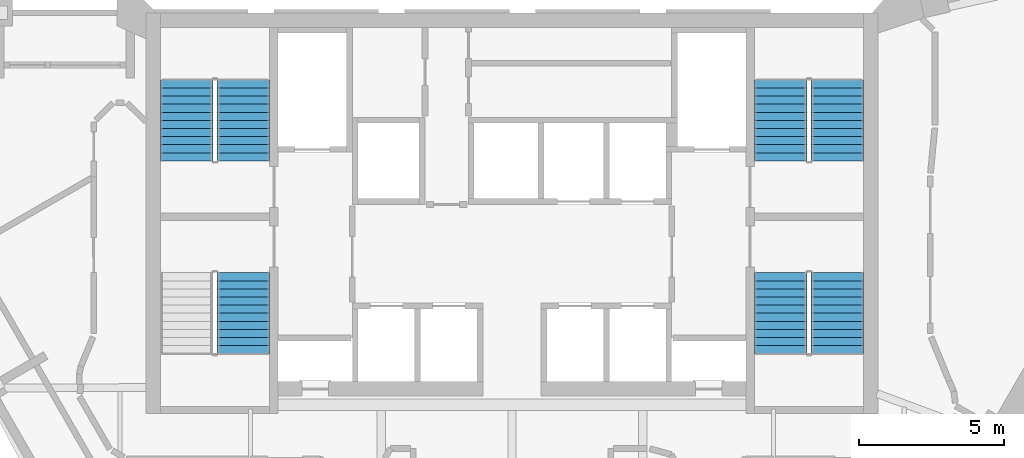
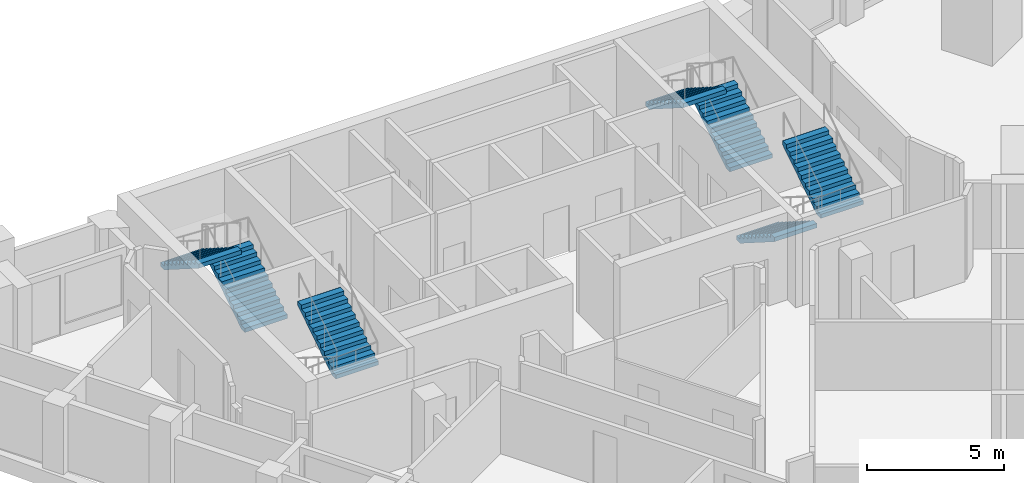
# One storey, part 8 of 9: 7 stair flights, 4 elements without a shape of their own.
"""IFC4 building model written with IfcOpenShell, lengths in metres."""

from ifc_helpers import new_model, si_unit, direction, frame, origin, place, context, subcontext, project, spatial, faceted_brep, source, transform, mapped, material, type_object, element, aggregate, save


model = new_model("IFC4")

# Units and contexts
model_context = context("Model", 3, precision=1e-05, world=origin(), true_north=direction((0.0, 1.0)))
body_context = subcontext(model_context, "Body", "Model", "MODEL_VIEW")
ifc_project = project(units=[si_unit("LENGTHUNIT", "METRE"), si_unit("AREAUNIT", "SQUARE_METRE"), si_unit("VOLUMEUNIT", "CUBIC_METRE"), si_unit("PLANEANGLEUNIT", "RADIAN"), si_unit("MASSUNIT", "GRAM", prefix="KILO")], contexts=[model_context])

# Site, building, storey
site_placement = place(None, origin())
site = spatial("IfcSite", under=ifc_project, at=site_placement, CompositionType="ELEMENT")
building_placement = place(site_placement, origin())
building = spatial("IfcBuilding", under=site, at=building_placement, Name="Calabash Gate Tower", CompositionType="ELEMENT")
storey_placement = place(building_placement, frame((0.0, 0.0, 283.300048828125)))
storey = spatial("IfcBuildingStorey", under=building, at=storey_placement, Name="L68", CompositionType="ELEMENT", Elevation=283.300048828125)

# Stair, stair flights
ifc_material_1 = material(Name="Concrete C40/50", Category="concrete")
stair_type = type_object("IfcStairType", Name="Exit stair 22 risers of 177.3 mm", PredefinedType="HALF_TURN_STAIR", material=ifc_material_1)
stair_1_placement = place(storey_placement, origin())
stair_1 = element("IfcStair", 1, at=stair_1_placement, inside=storey, type_object=stair_type, Name="L68 Exit stair ST1", PredefinedType="HALF_TURN_STAIR")
ifc_material_2 = material(Name="Concrete C40/50", Category="concrete")
stair_flight_type = type_object("IfcStairFlightType", Name="Exit stair flight SFL", PredefinedType="STRAIGHT", material=ifc_material_2)
shared_shape = source(origin(), body_context, "Body", "Brep", [
    faceted_brep([(-0.0009765625, -0.89990234375, 0.0), (0.279541015625, -0.89990234375, 0.0), (2.791015625, -0.89990234375, 1.59521484375), (-0.0009765625, 0.89990234375, 0.0), (2.791015625, 0.89990234375, 1.59521484375), (0.279541015625, 0.89990234375, 0.0), (2.791015625, -0.89990234375, 1.78466796875), (2.7900390625, -0.89990234375, 1.78466796875), (2.7900390625, 0.89990234375, 1.78466796875), (2.791015625, 0.89990234375, 1.78466796875), (2.7900390625, -0.89990234375, 1.772705078125), (2.7900390625, 0.89990234375, 1.772705078125), (2.510986328125, -0.89990234375, 1.772705078125), (2.510986328125, 0.89990234375, 1.772705078125), (2.510986328125, -0.89990234375, 1.595458984375), (2.510986328125, 0.89990234375, 1.595458984375), (2.23193359375, -0.89990234375, 1.595458984375), (2.23193359375, 0.89990234375, 1.595458984375), (2.23193359375, -0.89990234375, 1.418212890625), (2.23193359375, 0.89990234375, 1.418212890625), (1.952880859375, -0.89990234375, 1.418212890625), (1.952880859375, -0.89990234375, 1.240966796875), (1.952880859375, 0.89990234375, 1.240966796875), (1.952880859375, 0.89990234375, 1.418212890625), (1.674072265625, -0.89990234375, 1.240966796875), (1.674072265625, -0.89990234375, 1.063720703125), (1.674072265625, 0.89990234375, 1.063720703125), (1.674072265625, 0.89990234375, 1.240966796875), (1.39501953125, -0.89990234375, 1.063720703125), (1.39501953125, -0.89990234375, 0.886474609375), (1.39501953125, 0.89990234375, 0.886474609375), (1.39501953125, 0.89990234375, 1.063720703125), (1.115966796875, -0.89990234375, 0.886474609375), (1.115966796875, -0.89990234375, 0.708984375), (1.115966796875, 0.89990234375, 0.708984375), (1.115966796875, 0.89990234375, 0.886474609375), (0.8369140625, -0.89990234375, 0.708984375), (0.8369140625, -0.89990234375, 0.53173828125), (0.8369140625, 0.89990234375, 0.53173828125), (0.8369140625, 0.89990234375, 0.708984375), (0.55810546875, -0.89990234375, 0.53173828125), (0.55810546875, -0.89990234375, 0.3544921875), (0.55810546875, 0.89990234375, 0.3544921875), (0.55810546875, 0.89990234375, 0.53173828125), (0.279052734375, -0.89990234375, 0.3544921875), (0.279052734375, -0.89990234375, 0.17724609375), (0.279052734375, 0.89990234375, 0.17724609375), (0.279052734375, 0.89990234375, 0.3544921875), (-0.0009765625, -0.89990234375, 0.17724609375), (-0.0009765625, 0.89990234375, 0.17724609375), (0.279541015625, -0.360107421875, 0.0), (2.791015625, -0.360107421875, 1.59521484375), (0.279541015625, 0.0, 0.0), (2.791015625, 0.0, 1.59521484375), (0.279541015625, 0.360107421875, 0.0), (2.791015625, 0.360107421875, 1.59521484375), (2.791015625, -0.360107421875, 1.78466796875), (2.791015625, 0.0, 1.78466796875), (2.791015625, 0.360107421875, 1.78466796875), (2.7900390625, -0.360107421875, 1.78466796875), (2.7900390625, 0.0, 1.78466796875), (2.7900390625, 0.360107421875, 1.78466796875), (2.7900390625, -0.360107421875, 1.772705078125), (2.7900390625, 0.0, 1.772705078125), (2.7900390625, 0.360107421875, 1.772705078125), (2.510986328125, -0.360107421875, 1.772705078125), (2.510986328125, 0.0, 1.772705078125), (2.510986328125, 0.360107421875, 1.772705078125), (2.510986328125, -0.360107421875, 1.595458984375), (2.510986328125, 0.0, 1.595458984375), (2.510986328125, 0.360107421875, 1.595458984375), (2.23193359375, -0.360107421875, 1.595458984375), (2.23193359375, 0.0, 1.595458984375), (2.23193359375, 0.360107421875, 1.595458984375), (2.23193359375, -0.360107421875, 1.418212890625), (2.23193359375, 0.0, 1.418212890625), (2.23193359375, 0.360107421875, 1.418212890625), (1.952880859375, -0.360107421875, 1.418212890625), (1.952880859375, 0.0, 1.418212890625), (1.952880859375, 0.360107421875, 1.418212890625), (1.952880859375, -0.360107421875, 1.240966796875), (1.952880859375, 0.0, 1.240966796875), (1.952880859375, 0.360107421875, 1.240966796875), (1.674072265625, -0.360107421875, 1.240966796875), (1.674072265625, 0.0, 1.240966796875), (1.674072265625, 0.360107421875, 1.240966796875), (1.674072265625, -0.360107421875, 1.063720703125), (1.674072265625, 0.0, 1.063720703125), (1.674072265625, 0.360107421875, 1.063720703125), (1.39501953125, -0.360107421875, 1.063720703125), (1.39501953125, 0.0, 1.063720703125), (1.39501953125, 0.360107421875, 1.063720703125), (1.39501953125, -0.360107421875, 0.886474609375), (1.39501953125, 0.0, 0.886474609375), (1.39501953125, 0.360107421875, 0.886474609375), (1.115966796875, -0.360107421875, 0.886474609375), (1.115966796875, 0.0, 0.886474609375), (1.115966796875, 0.360107421875, 0.886474609375), (1.115966796875, -0.360107421875, 0.708984375), (1.115966796875, 0.0, 0.708984375), (1.115966796875, 0.360107421875, 0.708984375), (0.8369140625, -0.360107421875, 0.708984375), (0.8369140625, 0.0, 0.708984375), (0.8369140625, 0.360107421875, 0.708984375), (0.8369140625, -0.360107421875, 0.53173828125), (0.8369140625, 0.0, 0.53173828125), (0.8369140625, 0.360107421875, 0.53173828125), (0.55810546875, -0.360107421875, 0.53173828125), (0.55810546875, 0.0, 0.53173828125), (0.55810546875, 0.360107421875, 0.53173828125), (0.55810546875, -0.360107421875, 0.3544921875), (0.55810546875, 0.0, 0.3544921875), (0.55810546875, 0.360107421875, 0.3544921875), (0.279052734375, -0.360107421875, 0.3544921875), (0.279052734375, 0.0, 0.3544921875), (0.279052734375, 0.360107421875, 0.3544921875), (0.279052734375, -0.360107421875, 0.17724609375), (0.279052734375, 0.0, 0.17724609375), (0.279052734375, 0.360107421875, 0.17724609375), (-0.0009765625, -0.360107421875, 0.17724609375), (-0.0009765625, 0.0, 0.17724609375), (-0.0009765625, 0.360107421875, 0.17724609375), (-0.0009765625, -0.360107421875, 0.0), (-0.0009765625, 0.0, 0.0), (-0.0009765625, 0.360107421875, 0.0)], [[[0, 1, 2]], [[3, 4, 5]], [[2, 6, 7]], [[4, 8, 9]], [[2, 7, 10]], [[4, 11, 8]], [[2, 10, 12]], [[4, 13, 11]], [[2, 12, 14]], [[4, 15, 13]], [[2, 14, 16]], [[4, 17, 15]], [[2, 16, 18]], [[4, 19, 17]], [[18, 20, 21]], [[19, 22, 23]], [[2, 18, 21]], [[4, 22, 19]], [[21, 24, 25]], [[22, 26, 27]], [[2, 21, 25]], [[4, 26, 22]], [[25, 28, 29]], [[26, 30, 31]], [[2, 25, 29]], [[4, 30, 26]], [[29, 32, 33]], [[30, 34, 35]], [[2, 29, 33]], [[4, 34, 30]], [[33, 36, 37]], [[34, 38, 39]], [[2, 33, 37]], [[4, 38, 34]], [[37, 40, 41]], [[38, 42, 43]], [[2, 37, 41]], [[4, 42, 38]], [[41, 44, 45]], [[42, 46, 47]], [[2, 41, 45]], [[4, 46, 42]], [[0, 2, 45]], [[3, 46, 4]], [[45, 48, 0]], [[46, 3, 49]], [[1, 50, 2]], [[50, 51, 2]], [[50, 52, 51]], [[52, 53, 51]], [[52, 54, 55]], [[52, 55, 53]], [[54, 5, 4]], [[54, 4, 55]], [[2, 51, 6]], [[51, 56, 6]], [[51, 53, 56]], [[53, 57, 56]], [[53, 55, 58]], [[53, 58, 57]], [[55, 4, 9]], [[55, 9, 58]], [[6, 56, 7]], [[56, 59, 7]], [[56, 57, 59]], [[57, 60, 59]], [[57, 58, 61]], [[57, 61, 60]], [[58, 9, 8]], [[58, 8, 61]], [[7, 59, 10]], [[59, 62, 10]], [[59, 60, 62]], [[60, 63, 62]], [[60, 61, 64]], [[60, 64, 63]], [[61, 8, 11]], [[61, 11, 64]], [[10, 62, 12]], [[62, 65, 12]], [[62, 63, 65]], [[63, 66, 65]], [[63, 64, 67]], [[63, 67, 66]], [[64, 11, 13]], [[64, 13, 67]], [[12, 65, 14]], [[65, 68, 14]], [[65, 66, 68]], [[66, 69, 68]], [[66, 67, 70]], [[66, 70, 69]], [[67, 13, 15]], [[67, 15, 70]], [[14, 68, 16]], [[68, 71, 16]], [[68, 69, 71]], [[69, 72, 71]], [[69, 70, 73]], [[69, 73, 72]], [[70, 15, 17]], [[70, 17, 73]], [[16, 71, 18]], [[71, 74, 18]], [[71, 72, 74]], [[72, 75, 74]], [[72, 73, 76]], [[72, 76, 75]], [[73, 17, 19]], [[73, 19, 76]], [[18, 74, 20]], [[74, 77, 20]], [[74, 75, 77]], [[75, 78, 77]], [[75, 76, 79]], [[75, 79, 78]], [[76, 19, 23]], [[76, 23, 79]], [[20, 77, 21]], [[77, 80, 21]], [[77, 78, 80]], [[78, 81, 80]], [[78, 79, 82]], [[78, 82, 81]], [[79, 23, 22]], [[79, 22, 82]], [[21, 80, 24]], [[80, 83, 24]], [[80, 81, 83]], [[81, 84, 83]], [[81, 82, 85]], [[81, 85, 84]], [[82, 22, 27]], [[82, 27, 85]], [[24, 83, 25]], [[83, 86, 25]], [[83, 84, 86]], [[84, 87, 86]], [[84, 85, 88]], [[84, 88, 87]], [[85, 27, 26]], [[85, 26, 88]], [[25, 86, 28]], [[86, 89, 28]], [[86, 87, 89]], [[87, 90, 89]], [[87, 88, 91]], [[87, 91, 90]], [[88, 26, 31]], [[88, 31, 91]], [[28, 89, 29]], [[89, 92, 29]], [[89, 90, 92]], [[90, 93, 92]], [[90, 91, 94]], [[90, 94, 93]], [[91, 31, 30]], [[91, 30, 94]], [[29, 92, 32]], [[92, 95, 32]], [[92, 93, 95]], [[93, 96, 95]], [[93, 94, 97]], [[93, 97, 96]], [[94, 30, 35]], [[94, 35, 97]], [[32, 95, 33]], [[95, 98, 33]], [[95, 96, 98]], [[96, 99, 98]], [[96, 97, 100]], [[96, 100, 99]], [[97, 35, 34]], [[97, 34, 100]], [[33, 98, 36]], [[98, 101, 36]], [[98, 99, 101]], [[99, 102, 101]], [[99, 100, 103]], [[99, 103, 102]], [[100, 34, 39]], [[100, 39, 103]], [[36, 101, 37]], [[101, 104, 37]], [[101, 102, 104]], [[102, 105, 104]], [[102, 103, 106]], [[102, 106, 105]], [[103, 39, 38]], [[103, 38, 106]], [[37, 104, 40]], [[104, 107, 40]], [[104, 105, 107]], [[105, 108, 107]], [[105, 106, 109]], [[105, 109, 108]], [[106, 38, 43]], [[106, 43, 109]], [[40, 107, 41]], [[107, 110, 41]], [[107, 108, 110]], [[108, 111, 110]], [[108, 109, 112]], [[108, 112, 111]], [[109, 43, 42]], [[109, 42, 112]], [[41, 110, 44]], [[110, 113, 44]], [[110, 111, 113]], [[111, 114, 113]], [[111, 112, 115]], [[111, 115, 114]], [[112, 42, 47]], [[112, 47, 115]], [[44, 113, 45]], [[113, 116, 45]], [[113, 114, 116]], [[114, 117, 116]], [[114, 115, 118]], [[114, 118, 117]], [[115, 47, 46]], [[115, 46, 118]], [[45, 116, 48]], [[116, 119, 48]], [[116, 117, 119]], [[117, 120, 119]], [[117, 118, 121]], [[117, 121, 120]], [[118, 46, 49]], [[118, 49, 121]], [[48, 119, 0]], [[119, 122, 0]], [[119, 120, 122]], [[120, 123, 122]], [[120, 121, 124]], [[120, 124, 123]], [[121, 49, 3]], [[121, 3, 124]], [[0, 122, 1]], [[122, 50, 1]], [[122, 123, 50]], [[123, 52, 50]], [[123, 124, 54]], [[123, 54, 52]], [[124, 3, 5]], [[124, 5, 54]]]),
])
stair_flight_1_placement = place(storey_placement, frame((-9.25, 13.95263671875, 0.0), z_axis=(0.0, 0.0, 1.0), x_axis=(0.0, 1.0, 0.0)))
stair_flight_1 = element("IfcStairFlight", 2, at=stair_flight_1_placement, type_object=stair_flight_type, Name="ST1 flight 1", NumberOfRisers=11, NumberOfTreads=10, PredefinedType="STRAIGHT", RiserHeight=0.177272727, TreadLength=0.279, context=body_context, shape_type="MappedRepresentation", body=[
    mapped(shared_shape, transform((0.0, 0.0, 0.0), scale=1.0)),
])
stair_flight_2_placement = place(storey_placement, frame((-11.199951171875, 16.74267578125, 1.949951171875), z_axis=(0.0, 0.0, 1.0), x_axis=(0.0, -1.0, 0.0)))
stair_flight_2 = element("IfcStairFlight", 3, at=stair_flight_2_placement, type_object=stair_flight_type, Name="ST1 flight 2", NumberOfRisers=11, NumberOfTreads=10, PredefinedType="STRAIGHT", RiserHeight=0.177272727, TreadLength=0.279, context=body_context, shape_type="MappedRepresentation", body=[
    mapped(shared_shape, transform((0.0, 0.0, 0.0), scale=1.0)),
])
aggregate(stair_1, [stair_flight_1, stair_flight_2])

# Stair, stair flight
stair_2_placement = place(storey_placement, origin())
stair_2 = element("IfcStair", 4, at=stair_2_placement, inside=storey, type_object=stair_type, Name="L68 Exit stair ST2", PredefinedType="HALF_TURN_STAIR")
stair_flight_3_placement = place(storey_placement, frame((-9.25, 7.3125, 1.949951171875), z_axis=(0.0, 0.0, 1.0), x_axis=(0.0, 1.0, 0.0)))
stair_flight_3 = element("IfcStairFlight", 5, at=stair_flight_3_placement, type_object=stair_flight_type, Name="ST2 flight 2", NumberOfRisers=11, NumberOfTreads=10, PredefinedType="STRAIGHT", RiserHeight=0.177272727, TreadLength=0.279, context=body_context, shape_type="MappedRepresentation", body=[
    mapped(shared_shape, transform((0.0, 0.0, 0.0), scale=1.0)),
])
aggregate(stair_2, [stair_flight_3])

# Stair, stair flights
stair_3_placement = place(storey_placement, origin())
stair_3 = element("IfcStair", 6, at=stair_3_placement, inside=storey, type_object=stair_type, Name="L68 Exit stair ST3", PredefinedType="HALF_TURN_STAIR")
stair_flight_4_placement = place(storey_placement, frame((11.199951171875, 13.95263671875, 0.0), z_axis=(0.0, 0.0, 1.0), x_axis=(0.0, 1.0, 0.0)))
stair_flight_4 = element("IfcStairFlight", 7, at=stair_flight_4_placement, type_object=stair_flight_type, Name="ST3 flight 1", NumberOfRisers=11, NumberOfTreads=10, PredefinedType="STRAIGHT", RiserHeight=0.177272727, TreadLength=0.279, context=body_context, shape_type="MappedRepresentation", body=[
    mapped(shared_shape, transform((0.0, 0.0, 0.0), scale=1.0)),
])
stair_flight_5_placement = place(storey_placement, frame((9.25, 16.74267578125, 1.949951171875), z_axis=(0.0, 0.0, 1.0), x_axis=(0.0, -1.0, 0.0)))
stair_flight_5 = element("IfcStairFlight", 8, at=stair_flight_5_placement, type_object=stair_flight_type, Name="ST3 flight 2", NumberOfRisers=11, NumberOfTreads=10, PredefinedType="STRAIGHT", RiserHeight=0.177272727, TreadLength=0.279, context=body_context, shape_type="MappedRepresentation", body=[
    mapped(shared_shape, transform((0.0, 0.0, 0.0), scale=1.0)),
])
aggregate(stair_3, [stair_flight_4, stair_flight_5])

stair_4_placement = place(storey_placement, origin())
stair_4 = element("IfcStair", 9, at=stair_4_placement, inside=storey, type_object=stair_type, Name="L68 Exit stair ST4", PredefinedType="HALF_TURN_STAIR")
stair_flight_6_placement = place(storey_placement, frame((9.25, 10.1025390625, 0.0), z_axis=(0.0, 0.0, 1.0), x_axis=(0.0, -1.0, 0.0)))
stair_flight_6 = element("IfcStairFlight", 10, at=stair_flight_6_placement, type_object=stair_flight_type, Name="ST4 flight 1", NumberOfRisers=11, NumberOfTreads=10, PredefinedType="STRAIGHT", RiserHeight=0.177272727, TreadLength=0.279, context=body_context, shape_type="MappedRepresentation", body=[
    mapped(shared_shape, transform((0.0, 0.0, 0.0), scale=1.0)),
])
stair_flight_7_placement = place(storey_placement, frame((11.199951171875, 7.3125, 1.949951171875), z_axis=(0.0, 0.0, 1.0), x_axis=(0.0, 1.0, 0.0)))
stair_flight_7 = element("IfcStairFlight", 11, at=stair_flight_7_placement, type_object=stair_flight_type, Name="ST4 flight 2", NumberOfRisers=11, NumberOfTreads=10, PredefinedType="STRAIGHT", RiserHeight=0.177272727, TreadLength=0.279, context=body_context, shape_type="MappedRepresentation", body=[
    mapped(shared_shape, transform((0.0, 0.0, 0.0), scale=1.0)),
])
aggregate(stair_4, [stair_flight_6, stair_flight_7])

save(model, "model.ifc")
